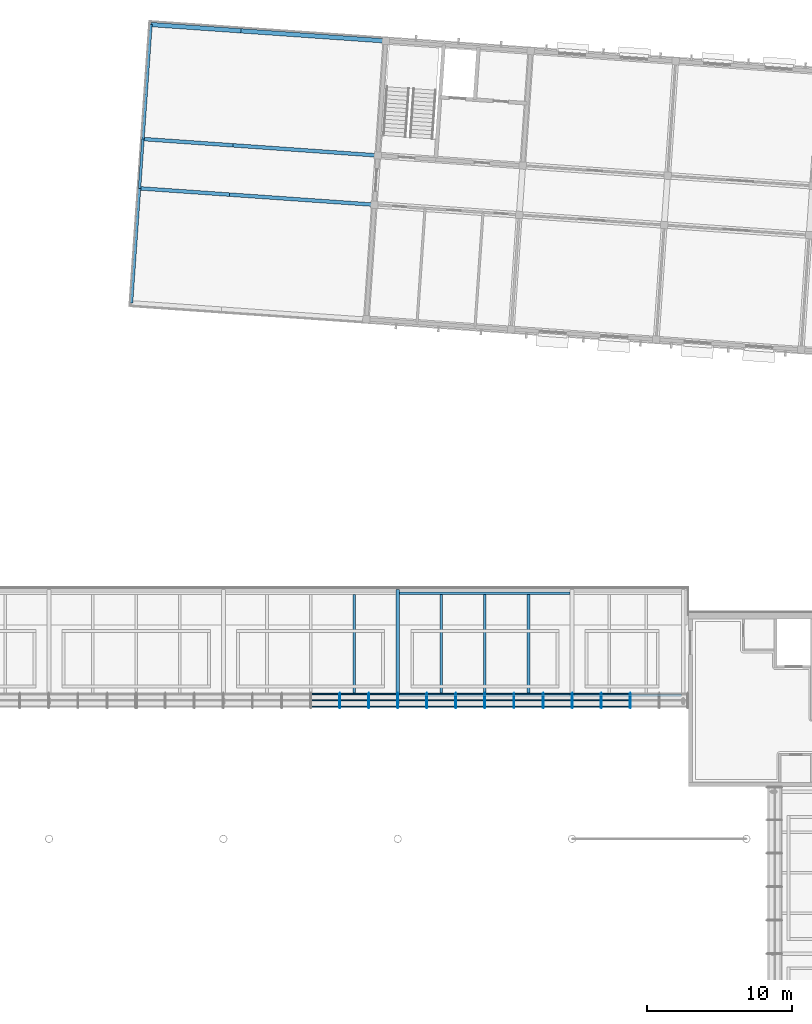
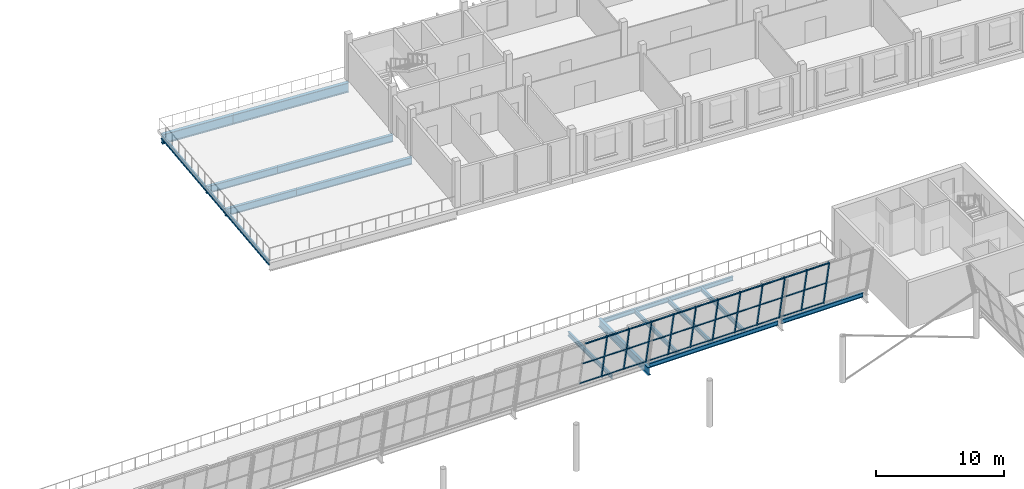
# One storey, part 21 of 58: 44 members, 17 beams, 1 element without a shape of its own.
"""IFC4 building model written with IfcOpenShell, lengths in metres."""

from ifc_helpers import new_model, si_unit, direction, frame, origin, origin_2d, place, context, subcontext, project, spatial, rectangle, i_section, extrude, material, layer, layer_set, material_profile, profile_set, type_object, element, aggregate, save


model = new_model("IFC4")

# Units and contexts
model_context = context("Model", 3, precision=1e-05, world=origin(), true_north=direction((0.0, 1.0)))
body_context = subcontext(model_context, "Body", "Model", "MODEL_VIEW")
ifc_project = project(units=[si_unit("LENGTHUNIT", "METRE"), si_unit("AREAUNIT", "SQUARE_METRE"), si_unit("VOLUMEUNIT", "CUBIC_METRE"), si_unit("PLANEANGLEUNIT", "RADIAN"), si_unit("MASSUNIT", "GRAM", prefix="KILO")], contexts=[model_context])

# Site, building, storey
site_placement = place(None, origin())
site = spatial("IfcSite", under=ifc_project, at=site_placement, CompositionType="ELEMENT")
building_placement = place(site_placement, origin())
building = spatial("IfcBuilding", under=site, at=building_placement, Name="Windward Yard Aquatics Centre", CompositionType="ELEMENT")
storey_placement = place(building_placement, frame((0.0, 0.0, 13.800048828125)))
storey = spatial("IfcBuildingStorey", under=building, at=storey_placement, Name="L03", CompositionType="ELEMENT", Elevation=13.800048828125)

# Curtain wall, members
ifc_material_1 = material(Name="Glass and aluminium curtain wall", Category="aluminium")
ifc_layer = layer(ifc_material_1, 0.179931640625)
ifc_layer_set = layer_set([ifc_layer], Name="H curtain wall tier 2 double glazed 6+16+6")
curtain_wall_type = type_object("IfcCurtainWallType", Name="H curtain wall tier 2 double glazed 6+16+6", PredefinedType="NOTDEFINED", material=ifc_layer_set)
curtain_wall_placement = place(storey_placement, origin())
curtain_wall = element("IfcCurtainWall", 1, at=curtain_wall_placement, inside=storey, type_object=curtain_wall_type, Name="Tier 2 glazing N L03", PredefinedType="NOTDEFINED")
ifc_material_2 = material(Name="Aluminium 6063-T6 anodised", Category="aluminium")
ifc_material_profile_1 = material_profile(ifc_material_2, rectangle(XDim=0.06494140625, YDim=0.179931640625, at=origin_2d()), Name="H CW mullion 65x180")
ifc_profile_set_1 = profile_set([ifc_material_profile_1], Name="Aluminium 6063-T6 anodised")
member_type_1 = type_object("IfcMemberType", Name="H CW mullion 65x180", PredefinedType="MULLION", material=ifc_profile_set_1)
member_1_placement = place(storey_placement, frame((116.003173828125, 90.38623046875, 0.017822265625), z_axis=(0.0, -0.199327811945, 0.979932866775), x_axis=(1.0, 0.0, 0.0)))
member_1 = element("IfcMember", 2, at=member_1_placement, type_object=member_type_1, Name="G2NB mullion 8", PredefinedType="MULLION", context=body_context, shape_type="SweptSolid", body=[
    extrude(rectangle(XDim=0.06494140625, YDim=0.179931640625, at=origin_2d()), origin(), (0.0, 0.0, 1.0), 4.471923828125),
])
member_2_placement = place(storey_placement, frame((118.0029296875, 90.38623046875, 0.017822265625), z_axis=(0.0, -0.199327811945, 0.979932866775), x_axis=(1.0, 0.0, 0.0)))
member_2 = element("IfcMember", 3, at=member_2_placement, type_object=member_type_1, Name="G2NB mullion 9", PredefinedType="MULLION", context=body_context, shape_type="SweptSolid", body=[
    extrude(rectangle(XDim=0.06494140625, YDim=0.179931640625, at=origin_2d()), origin(), (0.0, 0.0, 1.0), 4.471923828125),
])
member_3_placement = place(storey_placement, frame((120.002685546875, 90.38623046875, 0.017822265625), z_axis=(0.0, -0.199327811945, 0.979932866775), x_axis=(1.0, 0.0, 0.0)))
member_3 = element("IfcMember", 4, at=member_3_placement, type_object=member_type_1, Name="G2NB mullion 10", PredefinedType="MULLION", context=body_context, shape_type="SweptSolid", body=[
    extrude(rectangle(XDim=0.06494140625, YDim=0.179931640625, at=origin_2d()), origin(), (0.0, 0.0, 1.0), 4.471923828125),
])
member_4_placement = place(storey_placement, frame((122.00244140625, 90.38623046875, 0.017822265625), z_axis=(0.0, -0.199327811945, 0.979932866775), x_axis=(1.0, 0.0, 0.0)))
member_4 = element("IfcMember", 5, at=member_4_placement, type_object=member_type_1, Name="G2NB mullion 11", PredefinedType="MULLION", context=body_context, shape_type="SweptSolid", body=[
    extrude(rectangle(XDim=0.06494140625, YDim=0.179931640625, at=origin_2d()), origin(), (0.0, 0.0, 1.0), 4.471923828125),
])
member_5_placement = place(storey_placement, frame((124.002197265625, 90.38623046875, 0.017822265625), z_axis=(0.0, -0.199327811945, 0.979932866775), x_axis=(1.0, 0.0, 0.0)))
member_5 = element("IfcMember", 6, at=member_5_placement, type_object=member_type_1, Name="G2NB mullion 12", PredefinedType="MULLION", context=body_context, shape_type="SweptSolid", body=[
    extrude(rectangle(XDim=0.06494140625, YDim=0.179931640625, at=origin_2d()), origin(), (0.0, 0.0, 1.0), 4.471923828125),
])
member_6_placement = place(storey_placement, frame((126.001953125, 90.38623046875, 0.017822265625), z_axis=(0.0, -0.199327811945, 0.979932866775), x_axis=(1.0, 0.0, 0.0)))
member_6 = element("IfcMember", 7, at=member_6_placement, type_object=member_type_1, Name="G2NB mullion 13", PredefinedType="MULLION", context=body_context, shape_type="SweptSolid", body=[
    extrude(rectangle(XDim=0.06494140625, YDim=0.179931640625, at=origin_2d()), origin(), (0.0, 0.0, 1.0), 4.471923828125),
])
member_7_placement = place(storey_placement, frame((128.00146484375, 90.38623046875, 0.017822265625), z_axis=(0.0, -0.199327811945, 0.979932866775), x_axis=(1.0, 0.0, 0.0)))
member_7 = element("IfcMember", 8, at=member_7_placement, type_object=member_type_1, Name="G2NB mullion 14", PredefinedType="MULLION", context=body_context, shape_type="SweptSolid", body=[
    extrude(rectangle(XDim=0.06494140625, YDim=0.179931640625, at=origin_2d()), origin(), (0.0, 0.0, 1.0), 4.471923828125),
])
member_8_placement = place(storey_placement, frame((130.001220703125, 90.38623046875, 0.017822265625), z_axis=(0.0, -0.199327811945, 0.979932866775), x_axis=(1.0, 0.0, 0.0)))
member_8 = element("IfcMember", 9, at=member_8_placement, type_object=member_type_1, Name="G2NB mullion 15", PredefinedType="MULLION", context=body_context, shape_type="SweptSolid", body=[
    extrude(rectangle(XDim=0.06494140625, YDim=0.179931640625, at=origin_2d()), origin(), (0.0, 0.0, 1.0), 4.471923828125),
])
member_9_placement = place(storey_placement, frame((132.0009765625, 90.38623046875, 0.017822265625), z_axis=(0.0, -0.199327811945, 0.979932866775), x_axis=(1.0, 0.0, 0.0)))
member_9 = element("IfcMember", 10, at=member_9_placement, type_object=member_type_1, Name="G2NB mullion 16", PredefinedType="MULLION", context=body_context, shape_type="SweptSolid", body=[
    extrude(rectangle(XDim=0.06494140625, YDim=0.179931640625, at=origin_2d()), origin(), (0.0, 0.0, 1.0), 4.471923828125),
])
member_10_placement = place(storey_placement, frame((134.000732421875, 90.38623046875, 0.017822265625), z_axis=(0.0, -0.199327811945, 0.979932866775), x_axis=(1.0, 0.0, 0.0)))
member_10 = element("IfcMember", 11, at=member_10_placement, type_object=member_type_1, Name="G2NB mullion 17", PredefinedType="MULLION", context=body_context, shape_type="SweptSolid", body=[
    extrude(rectangle(XDim=0.06494140625, YDim=0.179931640625, at=origin_2d()), origin(), (0.0, 0.0, 1.0), 4.471923828125),
])
member_11_placement = place(storey_placement, frame((136.00048828125, 90.38623046875, 0.017822265625), z_axis=(0.0, -0.199327811945, 0.979932866775), x_axis=(1.0, 0.0, 0.0)))
member_11 = element("IfcMember", 12, at=member_11_placement, type_object=member_type_1, Name="G2NB mullion 18", PredefinedType="MULLION", context=body_context, shape_type="SweptSolid", body=[
    extrude(rectangle(XDim=0.06494140625, YDim=0.179931640625, at=origin_2d()), origin(), (0.0, 0.0, 1.0), 4.471923828125),
])
ifc_material_profile_2 = material_profile(ifc_material_2, rectangle(XDim=0.06494140625, YDim=0.10009765625, at=origin_2d()), Name="H CW transom 65x100")
ifc_profile_set_2 = profile_set([ifc_material_profile_2], Name="Aluminium 6063-T6 anodised")
member_type_2 = type_object("IfcMemberType", Name="H CW transom 65x100", PredefinedType="USERDEFINED", material=ifc_profile_set_2)
member_12_placement = place(storey_placement, frame((114.035888671875, 90.378662109375, 0.055419921875), z_axis=(1.0, 0.0, 0.0), x_axis=(0.0, 0.979924704642, 0.199367934315)))
member_12 = element("IfcMember", 13, at=member_12_placement, type_object=member_type_2, Name="G2NB transom 7.1", ObjectType="TRANSOM", PredefinedType="USERDEFINED", context=body_context, shape_type="SweptSolid", body=[
    extrude(rectangle(XDim=0.06494140625, YDim=0.10009765625, at=origin_2d()), origin(), (0.0, 0.0, 1.0), 1.934814453125),
])
member_13_placement = place(storey_placement, frame((114.035888671875, 89.9423828125, 2.199951171875), z_axis=(1.0, 0.0, 0.0), x_axis=(0.0, 0.979924704642, 0.199367934315)))
member_13 = element("IfcMember", 14, at=member_13_placement, type_object=member_type_2, Name="G2NB transom 7.2", ObjectType="TRANSOM", PredefinedType="USERDEFINED", context=body_context, shape_type="SweptSolid", body=[
    extrude(rectangle(XDim=0.06494140625, YDim=0.10009765625, at=origin_2d()), origin(), (0.0, 0.0, 1.0), 1.934814453125),
])
member_14_placement = place(storey_placement, frame((114.035888671875, 89.5048828125, 4.35107421875), z_axis=(1.0, 0.0, 0.0), x_axis=(0.0, 0.979924704642, 0.199367934315)))
member_14 = element("IfcMember", 15, at=member_14_placement, type_object=member_type_2, Name="G2NB transom 7.3", ObjectType="TRANSOM", PredefinedType="USERDEFINED", context=body_context, shape_type="SweptSolid", body=[
    extrude(rectangle(XDim=0.06494140625, YDim=0.10009765625, at=origin_2d()), origin(), (0.0, 0.0, 1.0), 1.934814453125),
])
member_15_placement = place(storey_placement, frame((116.03564453125, 90.378662109375, 0.055419921875), z_axis=(1.0, 0.0, 0.0), x_axis=(0.0, 0.979924704642, 0.199367934315)))
member_15 = element("IfcMember", 16, at=member_15_placement, type_object=member_type_2, Name="G2NB transom 8.1", ObjectType="TRANSOM", PredefinedType="USERDEFINED", context=body_context, shape_type="SweptSolid", body=[
    extrude(rectangle(XDim=0.06494140625, YDim=0.10009765625, at=origin_2d()), origin(), (0.0, 0.0, 1.0), 1.934814453125),
])
member_16_placement = place(storey_placement, frame((116.03564453125, 89.9423828125, 2.199951171875), z_axis=(1.0, 0.0, 0.0), x_axis=(0.0, 0.979924704642, 0.199367934315)))
member_16 = element("IfcMember", 17, at=member_16_placement, type_object=member_type_2, Name="G2NB transom 8.2", ObjectType="TRANSOM", PredefinedType="USERDEFINED", context=body_context, shape_type="SweptSolid", body=[
    extrude(rectangle(XDim=0.06494140625, YDim=0.10009765625, at=origin_2d()), origin(), (0.0, 0.0, 1.0), 1.934814453125),
])
member_17_placement = place(storey_placement, frame((116.03564453125, 89.5048828125, 4.35107421875), z_axis=(1.0, 0.0, 0.0), x_axis=(0.0, 0.979924704642, 0.199367934315)))
member_17 = element("IfcMember", 18, at=member_17_placement, type_object=member_type_2, Name="G2NB transom 8.3", ObjectType="TRANSOM", PredefinedType="USERDEFINED", context=body_context, shape_type="SweptSolid", body=[
    extrude(rectangle(XDim=0.06494140625, YDim=0.10009765625, at=origin_2d()), origin(), (0.0, 0.0, 1.0), 1.934814453125),
])
member_18_placement = place(storey_placement, frame((118.035400390625, 90.378662109375, 0.055419921875), z_axis=(1.0, 0.0, 0.0), x_axis=(0.0, 0.979924704642, 0.199367934315)))
member_18 = element("IfcMember", 19, at=member_18_placement, type_object=member_type_2, Name="G2NB transom 9.1", ObjectType="TRANSOM", PredefinedType="USERDEFINED", context=body_context, shape_type="SweptSolid", body=[
    extrude(rectangle(XDim=0.06494140625, YDim=0.10009765625, at=origin_2d()), origin(), (0.0, 0.0, 1.0), 1.934814453125),
])
member_19_placement = place(storey_placement, frame((118.035400390625, 89.9423828125, 2.199951171875), z_axis=(1.0, 0.0, 0.0), x_axis=(0.0, 0.979924704642, 0.199367934315)))
member_19 = element("IfcMember", 20, at=member_19_placement, type_object=member_type_2, Name="G2NB transom 9.2", ObjectType="TRANSOM", PredefinedType="USERDEFINED", context=body_context, shape_type="SweptSolid", body=[
    extrude(rectangle(XDim=0.06494140625, YDim=0.10009765625, at=origin_2d()), origin(), (0.0, 0.0, 1.0), 1.934814453125),
])
member_20_placement = place(storey_placement, frame((118.035400390625, 89.5048828125, 4.35107421875), z_axis=(1.0, 0.0, 0.0), x_axis=(0.0, 0.979924704642, 0.199367934315)))
member_20 = element("IfcMember", 21, at=member_20_placement, type_object=member_type_2, Name="G2NB transom 9.3", ObjectType="TRANSOM", PredefinedType="USERDEFINED", context=body_context, shape_type="SweptSolid", body=[
    extrude(rectangle(XDim=0.06494140625, YDim=0.10009765625, at=origin_2d()), origin(), (0.0, 0.0, 1.0), 1.934814453125),
])
member_21_placement = place(storey_placement, frame((120.03515625, 90.378662109375, 0.055419921875), z_axis=(1.0, 0.0, 0.0), x_axis=(0.0, 0.979924704642, 0.199367934315)))
member_21 = element("IfcMember", 22, at=member_21_placement, type_object=member_type_2, Name="G2NB transom 10.1", ObjectType="TRANSOM", PredefinedType="USERDEFINED", context=body_context, shape_type="SweptSolid", body=[
    extrude(rectangle(XDim=0.06494140625, YDim=0.10009765625, at=origin_2d()), origin(), (0.0, 0.0, 1.0), 1.934814453125),
])
member_22_placement = place(storey_placement, frame((120.03515625, 89.9423828125, 2.199951171875), z_axis=(1.0, 0.0, 0.0), x_axis=(0.0, 0.979924704642, 0.199367934315)))
member_22 = element("IfcMember", 23, at=member_22_placement, type_object=member_type_2, Name="G2NB transom 10.2", ObjectType="TRANSOM", PredefinedType="USERDEFINED", context=body_context, shape_type="SweptSolid", body=[
    extrude(rectangle(XDim=0.06494140625, YDim=0.10009765625, at=origin_2d()), origin(), (0.0, 0.0, 1.0), 1.934814453125),
])
member_23_placement = place(storey_placement, frame((120.03515625, 89.5048828125, 4.35107421875), z_axis=(1.0, 0.0, 0.0), x_axis=(0.0, 0.979924704642, 0.199367934315)))
member_23 = element("IfcMember", 24, at=member_23_placement, type_object=member_type_2, Name="G2NB transom 10.3", ObjectType="TRANSOM", PredefinedType="USERDEFINED", context=body_context, shape_type="SweptSolid", body=[
    extrude(rectangle(XDim=0.06494140625, YDim=0.10009765625, at=origin_2d()), origin(), (0.0, 0.0, 1.0), 1.934814453125),
])
member_24_placement = place(storey_placement, frame((122.034912109375, 90.378662109375, 0.055419921875), z_axis=(1.0, 0.0, 0.0), x_axis=(0.0, 0.979924704642, 0.199367934315)))
member_24 = element("IfcMember", 25, at=member_24_placement, type_object=member_type_2, Name="G2NB transom 11.1", ObjectType="TRANSOM", PredefinedType="USERDEFINED", context=body_context, shape_type="SweptSolid", body=[
    extrude(rectangle(XDim=0.06494140625, YDim=0.10009765625, at=origin_2d()), origin(), (0.0, 0.0, 1.0), 1.934814453125),
])
member_25_placement = place(storey_placement, frame((122.034912109375, 89.9423828125, 2.199951171875), z_axis=(1.0, 0.0, 0.0), x_axis=(0.0, 0.979924704642, 0.199367934315)))
member_25 = element("IfcMember", 26, at=member_25_placement, type_object=member_type_2, Name="G2NB transom 11.2", ObjectType="TRANSOM", PredefinedType="USERDEFINED", context=body_context, shape_type="SweptSolid", body=[
    extrude(rectangle(XDim=0.06494140625, YDim=0.10009765625, at=origin_2d()), origin(), (0.0, 0.0, 1.0), 1.934814453125),
])
member_26_placement = place(storey_placement, frame((122.034912109375, 89.5048828125, 4.35107421875), z_axis=(1.0, 0.0, 0.0), x_axis=(0.0, 0.979924704642, 0.199367934315)))
member_26 = element("IfcMember", 27, at=member_26_placement, type_object=member_type_2, Name="G2NB transom 11.3", ObjectType="TRANSOM", PredefinedType="USERDEFINED", context=body_context, shape_type="SweptSolid", body=[
    extrude(rectangle(XDim=0.06494140625, YDim=0.10009765625, at=origin_2d()), origin(), (0.0, 0.0, 1.0), 1.934814453125),
])
member_27_placement = place(storey_placement, frame((124.03466796875, 90.378662109375, 0.055419921875), z_axis=(1.0, 0.0, 0.0), x_axis=(0.0, 0.979924704642, 0.199367934315)))
member_27 = element("IfcMember", 28, at=member_27_placement, type_object=member_type_2, Name="G2NB transom 12.1", ObjectType="TRANSOM", PredefinedType="USERDEFINED", context=body_context, shape_type="SweptSolid", body=[
    extrude(rectangle(XDim=0.06494140625, YDim=0.10009765625, at=origin_2d()), origin(), (0.0, 0.0, 1.0), 1.9345703125),
])
member_28_placement = place(storey_placement, frame((124.03466796875, 89.9423828125, 2.199951171875), z_axis=(1.0, 0.0, 0.0), x_axis=(0.0, 0.979924704642, 0.199367934315)))
member_28 = element("IfcMember", 29, at=member_28_placement, type_object=member_type_2, Name="G2NB transom 12.2", ObjectType="TRANSOM", PredefinedType="USERDEFINED", context=body_context, shape_type="SweptSolid", body=[
    extrude(rectangle(XDim=0.06494140625, YDim=0.10009765625, at=origin_2d()), origin(), (0.0, 0.0, 1.0), 1.9345703125),
])
member_29_placement = place(storey_placement, frame((124.03466796875, 89.5048828125, 4.35107421875), z_axis=(1.0, 0.0, 0.0), x_axis=(0.0, 0.979924704642, 0.199367934315)))
member_29 = element("IfcMember", 30, at=member_29_placement, type_object=member_type_2, Name="G2NB transom 12.3", ObjectType="TRANSOM", PredefinedType="USERDEFINED", context=body_context, shape_type="SweptSolid", body=[
    extrude(rectangle(XDim=0.06494140625, YDim=0.10009765625, at=origin_2d()), origin(), (0.0, 0.0, 1.0), 1.9345703125),
])
member_30_placement = place(storey_placement, frame((126.034423828125, 90.378662109375, 0.055419921875), z_axis=(1.0, 0.0, 0.0), x_axis=(0.0, 0.979924704642, 0.199367934315)))
member_30 = element("IfcMember", 31, at=member_30_placement, type_object=member_type_2, Name="G2NB transom 13.1", ObjectType="TRANSOM", PredefinedType="USERDEFINED", context=body_context, shape_type="SweptSolid", body=[
    extrude(rectangle(XDim=0.06494140625, YDim=0.10009765625, at=origin_2d()), origin(), (0.0, 0.0, 1.0), 1.9345703125),
])
member_31_placement = place(storey_placement, frame((126.034423828125, 89.9423828125, 2.199951171875), z_axis=(1.0, 0.0, 0.0), x_axis=(0.0, 0.979924704642, 0.199367934315)))
member_31 = element("IfcMember", 32, at=member_31_placement, type_object=member_type_2, Name="G2NB transom 13.2", ObjectType="TRANSOM", PredefinedType="USERDEFINED", context=body_context, shape_type="SweptSolid", body=[
    extrude(rectangle(XDim=0.06494140625, YDim=0.10009765625, at=origin_2d()), origin(), (0.0, 0.0, 1.0), 1.9345703125),
])
member_32_placement = place(storey_placement, frame((126.034423828125, 89.5048828125, 4.35107421875), z_axis=(1.0, 0.0, 0.0), x_axis=(0.0, 0.979924704642, 0.199367934315)))
member_32 = element("IfcMember", 33, at=member_32_placement, type_object=member_type_2, Name="G2NB transom 13.3", ObjectType="TRANSOM", PredefinedType="USERDEFINED", context=body_context, shape_type="SweptSolid", body=[
    extrude(rectangle(XDim=0.06494140625, YDim=0.10009765625, at=origin_2d()), origin(), (0.0, 0.0, 1.0), 1.9345703125),
])
member_33_placement = place(storey_placement, frame((128.0341796875, 90.378662109375, 0.055419921875), z_axis=(1.0, 0.0, 0.0), x_axis=(0.0, 0.979924704642, 0.199367934315)))
member_33 = element("IfcMember", 34, at=member_33_placement, type_object=member_type_2, Name="G2NB transom 14.1", ObjectType="TRANSOM", PredefinedType="USERDEFINED", context=body_context, shape_type="SweptSolid", body=[
    extrude(rectangle(XDim=0.06494140625, YDim=0.10009765625, at=origin_2d()), origin(), (0.0, 0.0, 1.0), 1.9345703125),
])
member_34_placement = place(storey_placement, frame((128.0341796875, 89.9423828125, 2.199951171875), z_axis=(1.0, 0.0, 0.0), x_axis=(0.0, 0.979924704642, 0.199367934315)))
member_34 = element("IfcMember", 35, at=member_34_placement, type_object=member_type_2, Name="G2NB transom 14.2", ObjectType="TRANSOM", PredefinedType="USERDEFINED", context=body_context, shape_type="SweptSolid", body=[
    extrude(rectangle(XDim=0.06494140625, YDim=0.10009765625, at=origin_2d()), origin(), (0.0, 0.0, 1.0), 1.9345703125),
])
member_35_placement = place(storey_placement, frame((128.0341796875, 89.5048828125, 4.35107421875), z_axis=(1.0, 0.0, 0.0), x_axis=(0.0, 0.979924704642, 0.199367934315)))
member_35 = element("IfcMember", 36, at=member_35_placement, type_object=member_type_2, Name="G2NB transom 14.3", ObjectType="TRANSOM", PredefinedType="USERDEFINED", context=body_context, shape_type="SweptSolid", body=[
    extrude(rectangle(XDim=0.06494140625, YDim=0.10009765625, at=origin_2d()), origin(), (0.0, 0.0, 1.0), 1.9345703125),
])
member_36_placement = place(storey_placement, frame((130.033935546875, 90.378662109375, 0.055419921875), z_axis=(1.0, 0.0, 0.0), x_axis=(0.0, 0.979924704642, 0.199367934315)))
member_36 = element("IfcMember", 37, at=member_36_placement, type_object=member_type_2, Name="G2NB transom 15.1", ObjectType="TRANSOM", PredefinedType="USERDEFINED", context=body_context, shape_type="SweptSolid", body=[
    extrude(rectangle(XDim=0.06494140625, YDim=0.10009765625, at=origin_2d()), origin(), (0.0, 0.0, 1.0), 1.9345703125),
])
member_37_placement = place(storey_placement, frame((130.033935546875, 89.9423828125, 2.199951171875), z_axis=(1.0, 0.0, 0.0), x_axis=(0.0, 0.979924704642, 0.199367934315)))
member_37 = element("IfcMember", 38, at=member_37_placement, type_object=member_type_2, Name="G2NB transom 15.2", ObjectType="TRANSOM", PredefinedType="USERDEFINED", context=body_context, shape_type="SweptSolid", body=[
    extrude(rectangle(XDim=0.06494140625, YDim=0.10009765625, at=origin_2d()), origin(), (0.0, 0.0, 1.0), 1.9345703125),
])
member_38_placement = place(storey_placement, frame((130.033935546875, 89.5048828125, 4.35107421875), z_axis=(1.0, 0.0, 0.0), x_axis=(0.0, 0.979924704642, 0.199367934315)))
member_38 = element("IfcMember", 39, at=member_38_placement, type_object=member_type_2, Name="G2NB transom 15.3", ObjectType="TRANSOM", PredefinedType="USERDEFINED", context=body_context, shape_type="SweptSolid", body=[
    extrude(rectangle(XDim=0.06494140625, YDim=0.10009765625, at=origin_2d()), origin(), (0.0, 0.0, 1.0), 1.9345703125),
])
member_39_placement = place(storey_placement, frame((132.033447265625, 90.378662109375, 0.055419921875), z_axis=(1.0, 0.0, 0.0), x_axis=(0.0, 0.979924704642, 0.199367934315)))
member_39 = element("IfcMember", 40, at=member_39_placement, type_object=member_type_2, Name="G2NB transom 16.1", ObjectType="TRANSOM", PredefinedType="USERDEFINED", context=body_context, shape_type="SweptSolid", body=[
    extrude(rectangle(XDim=0.06494140625, YDim=0.10009765625, at=origin_2d()), origin(), (0.0, 0.0, 1.0), 1.934814453125),
])
member_40_placement = place(storey_placement, frame((132.033447265625, 89.9423828125, 2.199951171875), z_axis=(1.0, 0.0, 0.0), x_axis=(0.0, 0.979924704642, 0.199367934315)))
member_40 = element("IfcMember", 41, at=member_40_placement, type_object=member_type_2, Name="G2NB transom 16.2", ObjectType="TRANSOM", PredefinedType="USERDEFINED", context=body_context, shape_type="SweptSolid", body=[
    extrude(rectangle(XDim=0.06494140625, YDim=0.10009765625, at=origin_2d()), origin(), (0.0, 0.0, 1.0), 1.934814453125),
])
member_41_placement = place(storey_placement, frame((132.033447265625, 89.5048828125, 4.35107421875), z_axis=(1.0, 0.0, 0.0), x_axis=(0.0, 0.979924704642, 0.199367934315)))
member_41 = element("IfcMember", 42, at=member_41_placement, type_object=member_type_2, Name="G2NB transom 16.3", ObjectType="TRANSOM", PredefinedType="USERDEFINED", context=body_context, shape_type="SweptSolid", body=[
    extrude(rectangle(XDim=0.06494140625, YDim=0.10009765625, at=origin_2d()), origin(), (0.0, 0.0, 1.0), 1.934814453125),
])
member_42_placement = place(storey_placement, frame((134.033203125, 90.378662109375, 0.055419921875), z_axis=(1.0, 0.0, 0.0), x_axis=(0.0, 0.979924704642, 0.199367934315)))
member_42 = element("IfcMember", 43, at=member_42_placement, type_object=member_type_2, Name="G2NB transom 17.1", ObjectType="TRANSOM", PredefinedType="USERDEFINED", context=body_context, shape_type="SweptSolid", body=[
    extrude(rectangle(XDim=0.06494140625, YDim=0.10009765625, at=origin_2d()), origin(), (0.0, 0.0, 1.0), 1.934814453125),
])
member_43_placement = place(storey_placement, frame((134.033203125, 89.9423828125, 2.199951171875), z_axis=(1.0, 0.0, 0.0), x_axis=(0.0, 0.979924704642, 0.199367934315)))
member_43 = element("IfcMember", 44, at=member_43_placement, type_object=member_type_2, Name="G2NB transom 17.2", ObjectType="TRANSOM", PredefinedType="USERDEFINED", context=body_context, shape_type="SweptSolid", body=[
    extrude(rectangle(XDim=0.06494140625, YDim=0.10009765625, at=origin_2d()), origin(), (0.0, 0.0, 1.0), 1.934814453125),
])
member_44_placement = place(storey_placement, frame((134.033203125, 89.5048828125, 4.35107421875), z_axis=(1.0, 0.0, 0.0), x_axis=(0.0, 0.979924704642, 0.199367934315)))
member_44 = element("IfcMember", 45, at=member_44_placement, type_object=member_type_2, Name="G2NB transom 17.3", ObjectType="TRANSOM", PredefinedType="USERDEFINED", context=body_context, shape_type="SweptSolid", body=[
    extrude(rectangle(XDim=0.06494140625, YDim=0.10009765625, at=origin_2d()), origin(), (0.0, 0.0, 1.0), 1.934814453125),
])
aggregate(curtain_wall, [member_1, member_2, member_3, member_4, member_5, member_6, member_7, member_8, member_9, member_10, member_11, member_12, member_13, member_14, member_15, member_16, member_17, member_18, member_19, member_20, member_21, member_22, member_23, member_24, member_25, member_26, member_27, member_28, member_29, member_30, member_31, member_32, member_33, member_34, member_35, member_36, member_37, member_38, member_39, member_40, member_41, member_42, member_43, member_44])

# Beams
ifc_material_3 = material(Name="Steel ASTM A992 Gr 50", Category="steel")
ifc_material_profile_3 = material_profile(ifc_material_3, i_section(OverallWidth=0.177978515625, OverallDepth=0.406005859375, WebThickness=0.0078125, FlangeThickness=0.0126953125, at=origin_2d()), Name="W410X60")
ifc_profile_set_3 = profile_set([ifc_material_profile_3], Name="Steel ASTM A992 Gr 50")
beam_type_1 = type_object("IfcBeamType", Name="H terrace secondary beam W410X60", PredefinedType="BEAM", material=ifc_profile_set_3)
beam_1_placement = place(storey_placement, frame((117.0, 97.2119140625, -0.35302734375), z_axis=(0.0, -1.0, 0.0), x_axis=(1.0, 0.0, 0.0)))
element("IfcBeam", 46, at=beam_1_placement, inside=storey, type_object=beam_type_1, Name="H.T1S.N5.3", PredefinedType="BEAM", context=body_context, shape_type="SweptSolid", body=[
    extrude(i_section(OverallWidth=0.177978515625, OverallDepth=0.406005859375, WebThickness=0.0078125, FlangeThickness=0.0126953125, at=origin_2d()), origin(), (0.0, 0.0, 1.0), 6.83251953125),
])
for number, where, z_axis, x_axis, name in (
    (47, (120.133544921875, 97.301025390625, -0.35302734375), (1.0, 0.0, 0.0), (0.0, 1.0, 0.0), "H.T1E.N6.O"),
    (48, (120.133544921875, 90.290283203125, -0.35302734375), (1.0, 0.0, 0.0), (0.0, 1.0, 0.0), "H.T1E.N6.I"),
):
    element("IfcBeam", number, at=place(storey_placement, frame(where, z_axis=z_axis, x_axis=x_axis)), inside=storey, type_object=beam_type_1, Name=name, PredefinedType="BEAM", context=body_context, shape_type="SweptSolid", body=[
        extrude(i_section(OverallWidth=0.177978515625, OverallDepth=0.406005859375, WebThickness=0.0078125, FlangeThickness=0.0126953125, at=origin_2d()), origin(), (0.0, 0.0, 1.0), 11.73291015625),
    ])
for number, where, z_axis, x_axis, name in (
    (49, (123.0, 97.2119140625, -0.35302734375), (0.0, -1.0, 0.0), (1.0, 0.0, 0.0), "H.T1S.N6.1"),
    (50, (126.0, 97.2119140625, -0.35302734375), (0.0, -1.0, 0.0), (1.0, 0.0, 0.0), "H.T1S.N6.2"),
    (51, (129.0, 97.2119140625, -0.35302734375), (0.0, -1.0, 0.0), (1.0, 0.0, 0.0), "H.T1S.N6.3"),
):
    element("IfcBeam", number, at=place(storey_placement, frame(where, z_axis=z_axis, x_axis=x_axis)), inside=storey, type_object=beam_type_1, Name=name, PredefinedType="BEAM", context=body_context, shape_type="SweptSolid", body=[
        extrude(i_section(OverallWidth=0.177978515625, OverallDepth=0.406005859375, WebThickness=0.0078125, FlangeThickness=0.0126953125, at=origin_2d()), origin(), (0.0, 0.0, 1.0), 6.83251953125),
    ])
beam_2_placement = place(storey_placement, frame((132.133544921875, 90.290283203125, -0.35302734375), z_axis=(1.0, 0.0, 0.0), x_axis=(0.0, 1.0, 0.0)))
element("IfcBeam", 52, at=beam_2_placement, inside=storey, type_object=beam_type_1, Name="H.T1E.N7.I", PredefinedType="BEAM", context=body_context, shape_type="SweptSolid", body=[
    extrude(i_section(OverallWidth=0.177978515625, OverallDepth=0.406005859375, WebThickness=0.0078125, FlangeThickness=0.0126953125, at=origin_2d()), origin(), (0.0, 0.0, 1.0), 7.383056640625),
])
ifc_material_profile_4 = material_profile(ifc_material_3, i_section(OverallWidth=0.26708984375, OverallDepth=0.75390625, WebThickness=0.01318359375, FlangeThickness=0.01708984375, at=origin_2d()), Name="W760X147")
ifc_profile_set_4 = profile_set([ifc_material_profile_4], Name="Steel ASTM A992 Gr 50")
beam_type_2 = type_object("IfcBeamType", Name="H terrace transfer girder W760X147", PredefinedType="BEAM", material=ifc_profile_set_4)
beam_3_placement = place(storey_placement, frame((120.0, 97.551025390625, -0.527099609375), z_axis=(0.0, -1.0, 0.0), x_axis=(1.0, 0.0, 0.0)))
element("IfcBeam", 53, at=beam_3_placement, inside=storey, type_object=beam_type_2, Name="H.T1B.N6", PredefinedType="BEAM", context=body_context, shape_type="SweptSolid", body=[
    extrude(i_section(OverallWidth=0.26708984375, OverallDepth=0.75390625, WebThickness=0.01318359375, FlangeThickness=0.01708984375, at=origin_2d()), origin(), (0.0, 0.0, 1.0), 7.766357421875),
])
ifc_material_4 = material(Name="Steel S355", Category="steel")
ifc_material_profile_5 = material_profile(ifc_material_4, i_section(OverallWidth=0.180908203125, OverallDepth=0.4169921875, WebThickness=0.010986328125, FlangeThickness=0.018310546875, at=origin_2d()), Name="W410x85")
ifc_profile_set_5 = profile_set([ifc_material_profile_5], Name="Steel S355")
beam_type_3 = type_object("IfcBeamType", Name="W W410x85 beam", PredefinedType="BEAM", material=ifc_profile_set_5)
beam_4_placement = place(storey_placement, frame((101.67822265625, 117.297607421875, -0.488525390625), z_axis=(0.069782074492, 0.997562259751, 0.0), x_axis=(-0.997562259751, 0.069782074492, 0.0)))
element("IfcBeam", 54, at=beam_4_placement, inside=storey, type_object=beam_type_3, Name="W.BT.L03.A", PredefinedType="BEAM", context=body_context, shape_type="SweptSolid", body=[
    extrude(i_section(OverallWidth=0.180908203125, OverallDepth=0.4169921875, WebThickness=0.010986328125, FlangeThickness=0.018310546875, at=origin_2d()), origin(), (0.0, 0.0, 1.0), 7.89990234375),
])
beam_5_placement = place(storey_placement, frame((102.2294921875, 125.17822265625, -0.488525390625), z_axis=(0.069721232637, 0.997566513933, 0.0), x_axis=(-0.997566513933, 0.069721232637, 0.0)))
element("IfcBeam", 55, at=beam_5_placement, inside=storey, type_object=beam_type_3, Name="W.BT.L03.B", PredefinedType="BEAM", context=body_context, shape_type="SweptSolid", body=[
    extrude(i_section(OverallWidth=0.180908203125, OverallDepth=0.4169921875, WebThickness=0.010986328125, FlangeThickness=0.018310546875, at=origin_2d()), origin(), (0.0, 0.0, 1.0), 3.400146484375),
])
beam_6_placement = place(storey_placement, frame((102.466552734375, 128.570068359375, -0.488525390625), z_axis=(0.069751320509, 0.997564410596, 0.0), x_axis=(-0.997564410596, 0.069751320509, 0.0)))
element("IfcBeam", 56, at=beam_6_placement, inside=storey, type_object=beam_type_3, Name="W.BT.L03.C", PredefinedType="BEAM", context=body_context, shape_type="SweptSolid", body=[
    extrude(i_section(OverallWidth=0.180908203125, OverallDepth=0.4169921875, WebThickness=0.010986328125, FlangeThickness=0.018310546875, at=origin_2d()), origin(), (0.0, 0.0, 1.0), 7.89990234375),
])
ifc_material_profile_6 = material_profile(ifc_material_4, i_section(OverallWidth=0.25390625, OverallDepth=0.677978515625, WebThickness=0.01171875, FlangeThickness=0.016357421875, at=origin_2d()), Name="W690x125")
ifc_profile_set_6 = profile_set([ifc_material_profile_6], Name="Steel S355")
beam_type_4 = type_object("IfcBeamType", Name="W W690x125 beam", PredefinedType="BEAM", material=ifc_profile_set_6)
beam_7_placement = place(storey_placement, frame((102.2294921875, 125.17822265625, -0.619140625), z_axis=(0.997565299424, -0.069738607559, 0.0), x_axis=(0.069738607559, 0.997565299424, 0.0)))
element("IfcBeam", 57, at=beam_7_placement, inside=storey, type_object=beam_type_4, Name="W.BC.L03.2", PredefinedType="BEAM", context=body_context, shape_type="SweptSolid", body=[
    extrude(i_section(OverallWidth=0.25390625, OverallDepth=0.677978515625, WebThickness=0.01171875, FlangeThickness=0.016357421875, at=origin_2d()), origin(), (0.0, 0.0, 1.0), 6.199951171875),
])
beam_8_placement = place(storey_placement, frame((108.414306640625, 124.745849609375, -0.619140625), z_axis=(0.997564406228, -0.069751382981, 0.0), x_axis=(0.069751382981, 0.997564406228, 0.0)))
element("IfcBeam", 58, at=beam_8_placement, inside=storey, type_object=beam_type_4, Name="W.BB.L03.2", PredefinedType="BEAM", context=body_context, shape_type="SweptSolid", body=[
    extrude(i_section(OverallWidth=0.25390625, OverallDepth=0.677978515625, WebThickness=0.01171875, FlangeThickness=0.016357421875, at=origin_2d()), origin(), (0.0, 0.0, 1.0), 10.0),
])
beam_9_placement = place(storey_placement, frame((102.466552734375, 128.570068359375, -0.619140625), z_axis=(0.997565490927, -0.069735868178, 0.0), x_axis=(0.069735868178, 0.997565490927, 0.0)))
element("IfcBeam", 59, at=beam_9_placement, inside=storey, type_object=beam_type_4, Name="W.BC.L03.3", PredefinedType="BEAM", context=body_context, shape_type="SweptSolid", body=[
    extrude(i_section(OverallWidth=0.25390625, OverallDepth=0.677978515625, WebThickness=0.01171875, FlangeThickness=0.016357421875, at=origin_2d()), origin(), (0.0, 0.0, 1.0), 6.2001953125),
])
beam_10_placement = place(storey_placement, frame((108.651611328125, 128.1376953125, -0.619140625), z_axis=(0.997562707158, -0.069775678342, 0.0), x_axis=(0.069775678342, 0.997562707158, 0.0)))
element("IfcBeam", 60, at=beam_10_placement, inside=storey, type_object=beam_type_4, Name="W.BB.L03.3", PredefinedType="BEAM", context=body_context, shape_type="SweptSolid", body=[
    extrude(i_section(OverallWidth=0.25390625, OverallDepth=0.677978515625, WebThickness=0.01171875, FlangeThickness=0.016357421875, at=origin_2d()), origin(), (0.0, 0.0, 1.0), 10.0),
])
ifc_material_profile_7 = material_profile(ifc_material_4, i_section(OverallWidth=0.304931640625, OverallDepth=0.9140625, WebThickness=0.0166015625, FlangeThickness=0.02587890625, at=origin_2d()), Name="W920x238")
ifc_profile_set_7 = profile_set([ifc_material_profile_7], Name="Steel S355")
beam_type_5 = type_object("IfcBeamType", Name="W W920x238 beam", PredefinedType="BEAM", material=ifc_profile_set_7)
beam_11_placement = place(storey_placement, frame((103.017578125, 136.45068359375, -0.737060546875), z_axis=(0.997565299424, -0.069738607559, 0.0), x_axis=(0.069738607559, 0.997565299424, 0.0)))
element("IfcBeam", 61, at=beam_11_placement, inside=storey, type_object=beam_type_5, Name="W.BC.L03.4", PredefinedType="BEAM", context=body_context, shape_type="SweptSolid", body=[
    extrude(i_section(OverallWidth=0.304931640625, OverallDepth=0.9140625, WebThickness=0.0166015625, FlangeThickness=0.02587890625, at=origin_2d()), origin(), (0.0, 0.0, 1.0), 6.199951171875),
])
beam_12_placement = place(storey_placement, frame((109.202392578125, 136.018310546875, -0.737060546875), z_axis=(0.997564525005, -0.069749684245, 0.0), x_axis=(0.069749684245, 0.997564525005, 0.0)))
element("IfcBeam", 62, at=beam_12_placement, inside=storey, type_object=beam_type_5, Name="W.BB.L03.4", PredefinedType="BEAM", context=body_context, shape_type="SweptSolid", body=[
    extrude(i_section(OverallWidth=0.304931640625, OverallDepth=0.9140625, WebThickness=0.0166015625, FlangeThickness=0.02587890625, at=origin_2d()), origin(), (0.0, 0.0, 1.0), 10.000244140625),
])

save(model, "model.ifc")
